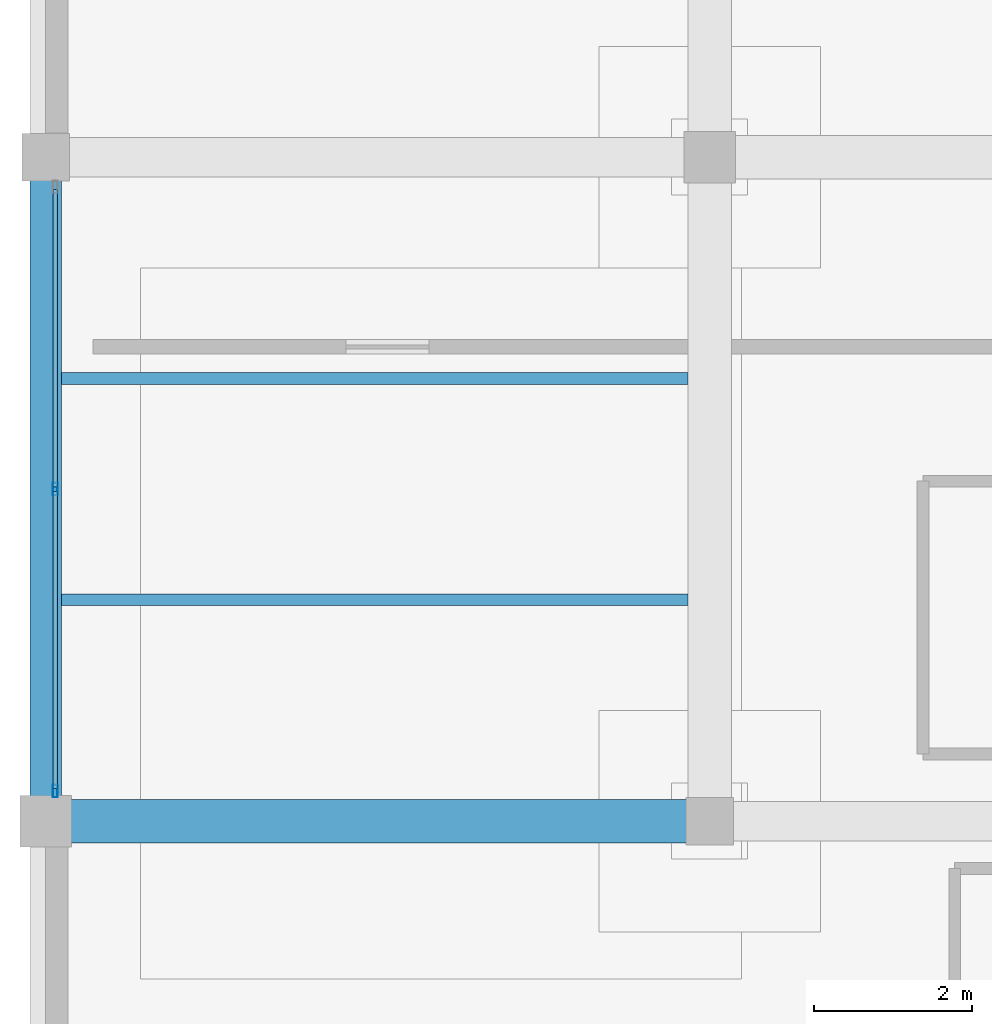
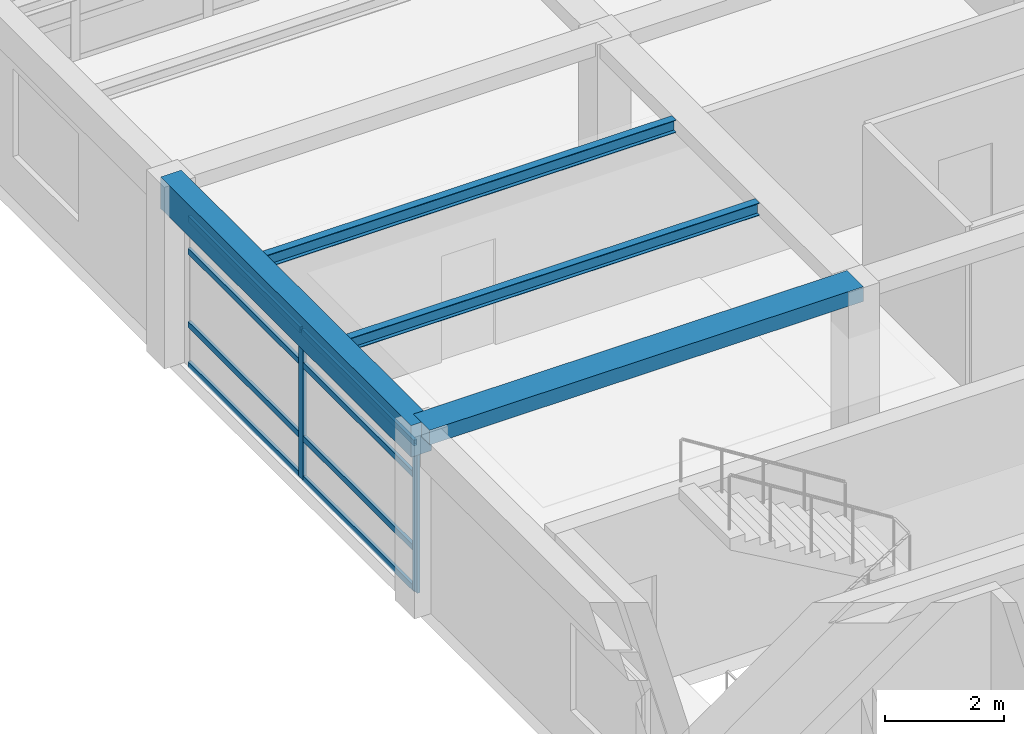
# One storey, part 9 of 26: 10 members, 4 beams, 1 element without a shape of its own.
"""IFC4 building model written with IfcOpenShell, lengths in metres."""

from ifc_helpers import new_model, si_unit, direction, frame, origin, origin_2d, place, context, subcontext, project, spatial, rectangle, hollow_rectangle, i_section, extrude, material, material_profile, profile_set, type_object, element, aggregate, save


model = new_model("IFC4")

# Units and contexts
model_context = context("Model", 3, precision=1e-05, world=origin(), true_north=direction((0.0, 1.0)))
body_context = subcontext(model_context, "Body", "Model", "MODEL_VIEW")
ifc_project = project(units=[si_unit("LENGTHUNIT", "METRE"), si_unit("AREAUNIT", "SQUARE_METRE"), si_unit("VOLUMEUNIT", "CUBIC_METRE"), si_unit("PLANEANGLEUNIT", "RADIAN"), si_unit("MASSUNIT", "GRAM", prefix="KILO")], contexts=[model_context])

# Site, building, storey
site_placement = place(None, origin())
site = spatial("IfcSite", under=ifc_project, at=site_placement, CompositionType="ELEMENT")
building_placement = place(site_placement, origin())
building = spatial("IfcBuilding", under=site, at=building_placement, Name="Almacenes y Pasaje Nevantli", CompositionType="ELEMENT")
storey_placement = place(building_placement, frame((0.0, 0.0, 54.699951171875)))
storey = spatial("IfcBuildingStorey", under=building, at=storey_placement, Name="L13", CompositionType="ELEMENT", Elevation=54.699951171875)

# Beams
ifc_material_1 = material(Name="Concrete C35/45", Category="concrete")
ifc_material_profile_1 = material_profile(ifc_material_1, rectangle(XDim=0.39990234375, YDim=0.64990234375, at=origin_2d()), Name="RC-BM-400x650")
ifc_profile_set_1 = profile_set([ifc_material_profile_1], Name="Concrete C35/45")
beam_type_1 = type_object("IfcBeamType", Name="BM-RC-400x650", PredefinedType="SPANDREL", material=ifc_profile_set_1)
beam_1_placement = place(storey_placement, frame((117.60009765625, 84.0, 3.39501953125), z_axis=(0.0, 1.0, 0.0), x_axis=(-1.0, 0.0, 0.0)))
element("IfcBeam", 1, at=beam_1_placement, inside=storey, type_object=beam_type_1, Name="L13 North-South Reinforced Concrete Beam #3965", PredefinedType="SPANDREL", context=body_context, shape_type="SweptSolid", body=[
    extrude(rectangle(XDim=0.39990234375, YDim=0.64990234375, at=origin_2d()), origin(), (0.0, 0.0, 1.0), 8.39990234375),
])
ifc_material_2 = material(Name="Concrete C35/45", Category="concrete")
ifc_material_profile_2 = material_profile(ifc_material_2, rectangle(XDim=0.550048828125, YDim=0.300048828125, at=origin_2d()), Name="RC-BM-550x300")
ifc_profile_set_2 = profile_set([ifc_material_profile_2], Name="Concrete C35/45")
beam_type_2 = type_object("IfcBeamType", Name="BM-RC-550x300", PredefinedType="BEAM", material=ifc_profile_set_2)
beam_2_placement = place(storey_placement, frame((117.60009765625, 84.0, 3.570068359375), z_axis=(1.0, 0.0, 0.0), x_axis=(0.0, 1.0, 0.0)))
element("IfcBeam", 2, at=beam_2_placement, inside=storey, type_object=beam_type_2, Name="L13 East-West Reinforced Concrete Beam #3948", PredefinedType="BEAM", context=body_context, shape_type="SweptSolid", body=[
    extrude(rectangle(XDim=0.550048828125, YDim=0.300048828125, at=origin_2d()), origin(), (0.0, 0.0, 1.0), 8.39990234375),
])
ifc_material_3 = material(Name="Steel ASTM A992", Category="steel")
ifc_material_profile_3 = material_profile(ifc_material_3, i_section(OverallWidth=0.14697265625, OverallDepth=0.257080078125, WebThickness=0.006591796875, FlangeThickness=0.01123046875, at=origin_2d()), Name="IR 254x38.7")
ifc_profile_set_3 = profile_set([ifc_material_profile_3], Name="Steel ASTM A992")
beam_type_3 = type_object("IfcBeamType", Name="BM-STL-IR-254x38p7", PredefinedType="JOIST", material=ifc_profile_set_3)
for number, where, z_axis, x_axis, name in (
    (3, (117.800048828125, 86.800048828125, 3.58349609375), (1.0, 0.0, 0.0), (0.0, 1.0, 0.0), "L13 Secondary Steel Floor Joist #1567"),
    (4, (117.800048828125, 89.60009765625, 3.58349609375), (1.0, 0.0, 0.0), (0.0, 1.0, 0.0), "L13 Secondary Steel Floor Joist #1568"),
):
    element("IfcBeam", number, at=place(storey_placement, frame(where, z_axis=z_axis, x_axis=x_axis)), inside=storey, type_object=beam_type_3, Name=name, PredefinedType="JOIST", context=body_context, shape_type="SweptSolid", body=[
        extrude(i_section(OverallWidth=0.14697265625, OverallDepth=0.257080078125, WebThickness=0.006591796875, FlangeThickness=0.01123046875, at=origin_2d()), origin(), (0.0, 0.0, 1.0), 7.925048828125),
    ])

# Curtain wall, members
ifc_material_4 = material(Name="Thermally Broken Aluminium and Low-E Glass", Category="aluminium")
curtain_wall_type = type_object("IfcCurtainWallType", Name="CW-UNIT-TOWER", PredefinedType="USERDEFINED", material=ifc_material_4)
curtain_wall_placement = place(storey_placement, origin())
curtain_wall = element("IfcCurtainWall", 5, at=curtain_wall_placement, inside=storey, type_object=curtain_wall_type, Name="L13 Tower West Curtain Wall Bay 11", ObjectType="UNITIZED CURTAIN WALL", PredefinedType="USERDEFINED")
ifc_material_5 = material(Name="Thermally Broken Anodized Aluminium", Category="aluminium")
ifc_material_profile_4 = material_profile(ifc_material_5, hollow_rectangle(XDim=0.06005859375, YDim=0.159912109375, WallThickness=0.00390625, at=origin_2d()), Name="ALU-MUL-60x160")
ifc_profile_set_4 = profile_set([ifc_material_profile_4], Name="Thermally Broken Anodized Aluminium")
member_type_1 = type_object("IfcMemberType", Name="CW-MUL-180", PredefinedType="MULLION", material=ifc_profile_set_4)
member_1_placement = place(storey_placement, frame((117.719970703125, 84.3798828125, 0.0), z_axis=(0.0, 0.0, 1.0), x_axis=(-1.0, 0.0, 0.0)))
member_1 = element("IfcMember", 6, at=member_1_placement, type_object=member_type_1, Name="CW-L13-175 mullion 1", PredefinedType="MULLION", context=body_context, shape_type="SweptSolid", body=[
    extrude(hollow_rectangle(XDim=0.06005859375, YDim=0.159912109375, WallThickness=0.00390625, at=origin_2d()), origin(), (0.0, 0.0, 1.0), 3.0400390625),
])
member_2_placement = place(storey_placement, frame((117.719970703125, 88.199951171875, 0.0), z_axis=(0.0, 0.0, 1.0), x_axis=(-1.0, 0.0, 0.0)))
member_2 = element("IfcMember", 7, at=member_2_placement, type_object=member_type_1, Name="CW-L13-175 mullion 2", PredefinedType="MULLION", context=body_context, shape_type="SweptSolid", body=[
    extrude(hollow_rectangle(XDim=0.06005859375, YDim=0.159912109375, WallThickness=0.00390625, at=origin_2d()), origin(), (0.0, 0.0, 1.0), 3.0400390625),
])
ifc_material_6 = material(Name="Thermally Broken Anodized Aluminium", Category="aluminium")
ifc_material_profile_5 = material_profile(ifc_material_6, hollow_rectangle(XDim=0.06005859375, YDim=0.1201171875, WallThickness=0.00341796875, at=origin_2d()), Name="ALU-TRN-60x120")
ifc_profile_set_5 = profile_set([ifc_material_profile_5], Name="Thermally Broken Anodized Aluminium")
member_type_2 = type_object("IfcMemberType", Name="CW-TRN-130", PredefinedType="USERDEFINED", material=ifc_profile_set_5)
member_3_placement = place(storey_placement, frame((117.719970703125, 84.409912109375, 0.030029296875), z_axis=(0.0, 1.0, 0.0), x_axis=(-1.0, 0.0, 0.0)))
member_3 = element("IfcMember", 8, at=member_3_placement, type_object=member_type_2, Name="CW-L13-175 transom 1.1", ObjectType="TRANSOM", PredefinedType="USERDEFINED", context=body_context, shape_type="SweptSolid", body=[
    extrude(hollow_rectangle(XDim=0.06005859375, YDim=0.1201171875, WallThickness=0.00341796875, at=origin_2d()), origin(), (0.0, 0.0, 1.0), 3.760009765625),
])
member_4_placement = place(storey_placement, frame((117.719970703125, 84.409912109375, 0.85009765625), z_axis=(0.0, 1.0, 0.0), x_axis=(-1.0, 0.0, 0.0)))
member_4 = element("IfcMember", 9, at=member_4_placement, type_object=member_type_2, Name="CW-L13-175 transom 1.2", ObjectType="TRANSOM", PredefinedType="USERDEFINED", context=body_context, shape_type="SweptSolid", body=[
    extrude(hollow_rectangle(XDim=0.06005859375, YDim=0.1201171875, WallThickness=0.00341796875, at=origin_2d()), origin(), (0.0, 0.0, 1.0), 3.760009765625),
])
member_5_placement = place(storey_placement, frame((117.719970703125, 84.409912109375, 2.35009765625), z_axis=(0.0, 1.0, 0.0), x_axis=(-1.0, 0.0, 0.0)))
member_5 = element("IfcMember", 10, at=member_5_placement, type_object=member_type_2, Name="CW-L13-175 transom 1.3", ObjectType="TRANSOM", PredefinedType="USERDEFINED", context=body_context, shape_type="SweptSolid", body=[
    extrude(hollow_rectangle(XDim=0.06005859375, YDim=0.1201171875, WallThickness=0.00341796875, at=origin_2d()), origin(), (0.0, 0.0, 1.0), 3.760009765625),
])
member_6_placement = place(storey_placement, frame((117.719970703125, 84.409912109375, 3.010009765625), z_axis=(0.0, 1.0, 0.0), x_axis=(-1.0, 0.0, 0.0)))
member_6 = element("IfcMember", 11, at=member_6_placement, type_object=member_type_2, Name="CW-L13-175 transom 1.4", ObjectType="TRANSOM", PredefinedType="USERDEFINED", context=body_context, shape_type="SweptSolid", body=[
    extrude(hollow_rectangle(XDim=0.06005859375, YDim=0.1201171875, WallThickness=0.00341796875, at=origin_2d()), origin(), (0.0, 0.0, 1.0), 3.760009765625),
])
member_7_placement = place(storey_placement, frame((117.719970703125, 88.22998046875, 0.030029296875), z_axis=(0.0, 1.0, 0.0), x_axis=(-1.0, 0.0, 0.0)))
member_7 = element("IfcMember", 12, at=member_7_placement, type_object=member_type_2, Name="CW-L13-175 transom 2.1", ObjectType="TRANSOM", PredefinedType="USERDEFINED", context=body_context, shape_type="SweptSolid", body=[
    extrude(hollow_rectangle(XDim=0.06005859375, YDim=0.1201171875, WallThickness=0.00341796875, at=origin_2d()), origin(), (0.0, 0.0, 1.0), 3.760009765625),
])
member_8_placement = place(storey_placement, frame((117.719970703125, 88.22998046875, 0.85009765625), z_axis=(0.0, 1.0, 0.0), x_axis=(-1.0, 0.0, 0.0)))
member_8 = element("IfcMember", 13, at=member_8_placement, type_object=member_type_2, Name="CW-L13-175 transom 2.2", ObjectType="TRANSOM", PredefinedType="USERDEFINED", context=body_context, shape_type="SweptSolid", body=[
    extrude(hollow_rectangle(XDim=0.06005859375, YDim=0.1201171875, WallThickness=0.00341796875, at=origin_2d()), origin(), (0.0, 0.0, 1.0), 3.760009765625),
])
member_9_placement = place(storey_placement, frame((117.719970703125, 88.22998046875, 2.35009765625), z_axis=(0.0, 1.0, 0.0), x_axis=(-1.0, 0.0, 0.0)))
member_9 = element("IfcMember", 14, at=member_9_placement, type_object=member_type_2, Name="CW-L13-175 transom 2.3", ObjectType="TRANSOM", PredefinedType="USERDEFINED", context=body_context, shape_type="SweptSolid", body=[
    extrude(hollow_rectangle(XDim=0.06005859375, YDim=0.1201171875, WallThickness=0.00341796875, at=origin_2d()), origin(), (0.0, 0.0, 1.0), 3.760009765625),
])
member_10_placement = place(storey_placement, frame((117.719970703125, 88.22998046875, 3.010009765625), z_axis=(0.0, 1.0, 0.0), x_axis=(-1.0, 0.0, 0.0)))
member_10 = element("IfcMember", 15, at=member_10_placement, type_object=member_type_2, Name="CW-L13-175 transom 2.4", ObjectType="TRANSOM", PredefinedType="USERDEFINED", context=body_context, shape_type="SweptSolid", body=[
    extrude(hollow_rectangle(XDim=0.06005859375, YDim=0.1201171875, WallThickness=0.00341796875, at=origin_2d()), origin(), (0.0, 0.0, 1.0), 3.760009765625),
])
aggregate(curtain_wall, [member_1, member_2, member_3, member_4, member_5, member_6, member_7, member_8, member_9, member_10])

save(model, "model.ifc")
